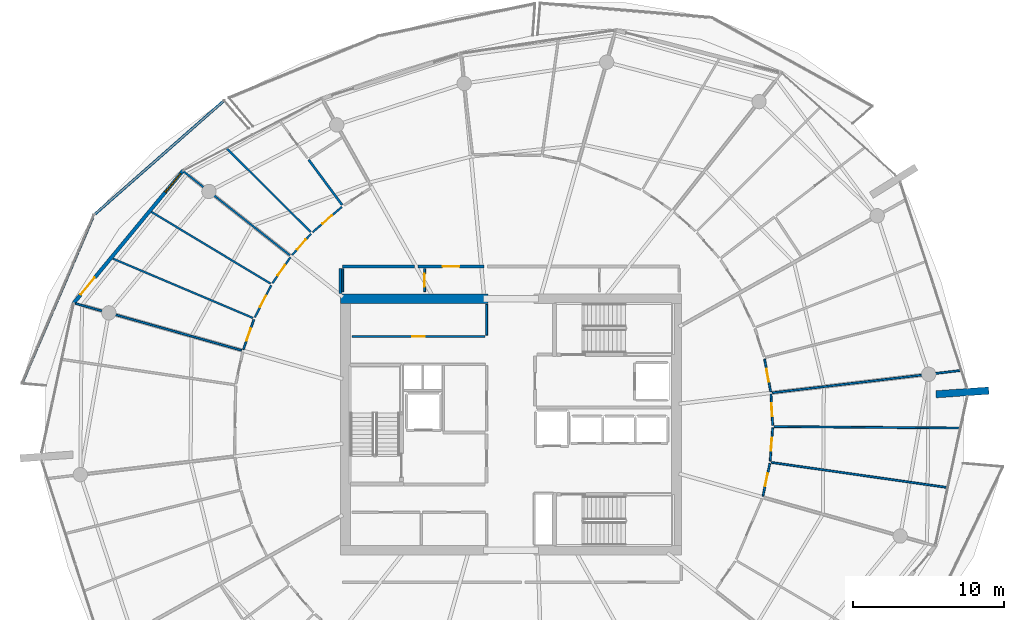
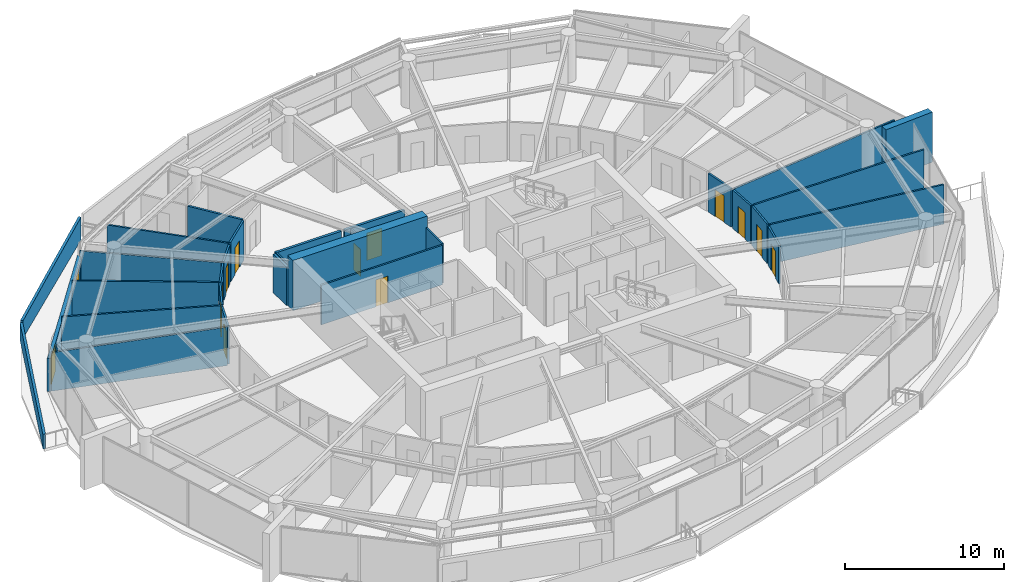
# One storey, part 21 of 30: 30 walls, 13 doors, 1 window, 14 openings.
"""IFC4 building model written with IfcOpenShell, lengths in metres."""

from ifc_helpers import new_model, si_unit, direction, frame, frame_2d, origin, place, context, subcontext, project, spatial, polyline, rectangle, outline, extrude, material, layer, layer_set, type_object, element, fill, save


model = new_model("IFC4")

# Units and contexts
model_context = context("Model", 3, precision=1e-05, world=origin(), true_north=direction((0.0, 1.0)))
body_context = subcontext(model_context, "Body", "Model", "MODEL_VIEW")
ifc_project = project(units=[si_unit("LENGTHUNIT", "METRE"), si_unit("AREAUNIT", "SQUARE_METRE"), si_unit("VOLUMEUNIT", "CUBIC_METRE"), si_unit("PLANEANGLEUNIT", "RADIAN"), si_unit("MASSUNIT", "GRAM", prefix="KILO")], contexts=[model_context])

# Site, building, storey
site_placement = place(None, origin())
site = spatial("IfcSite", under=ifc_project, at=site_placement, CompositionType="ELEMENT")
building_placement = place(site_placement, origin())
building = spatial("IfcBuilding", under=site, at=building_placement, Name="Kazma Halo Residences", CompositionType="ELEMENT")
storey_placement = place(building_placement, frame((0.0, 0.0, 244.39990234375)))
storey = spatial("IfcBuildingStorey", under=building, at=storey_placement, Name="L61", CompositionType="ELEMENT", Elevation=244.39990234375)

# Walls
ifc_material_1 = material(Name="White Concrete C50/60 Balustrade", Category="concrete")
ifc_layer_1 = layer(ifc_material_1, 0.179931640625)
ifc_layer_set_1 = layer_set([ifc_layer_1], Name="White Concrete C50/60 Balustrade")
wall_type_1 = type_object("IfcWallType", Name="WL-BAL-WAVE-180", PredefinedType="PARAPET", material=ifc_layer_set_1)
wall_1_placement = place(storey_placement, frame((29.45166015625, 63.45068359375, 0.0), z_axis=(0.0, 0.0, 1.0), x_axis=(-0.750904489888, -0.660410816891, 0.0)))
element("IfcWall", 1, at=wall_1_placement, inside=storey, type_object=wall_type_1, Name="L61 white wave balustrade wall NW.1", PredefinedType="PARAPET", context=body_context, shape_type="SweptSolid", body=[
    extrude(outline(polyline([(0.0, 0.0), (11.385009765625, 0.0), (11.385009765625, 1.34814453125), (5.6923828125, 1.56201171875), (0.0, 1.7470703125), (0.0, 0.0)])), frame((0.0, 0.08984375, 0.0), z_axis=(0.0, -1.0, 0.0), x_axis=(1.0, 0.0, 0.0)), (0.0, 0.0, 1.0), 0.179931640625),
])
wall_2_placement = place(storey_placement, frame((20.765380859375, 55.7421875, 0.0), z_axis=(0.0, 0.0, 1.0), x_axis=(-0.392715313702, -0.919660090677, 0.0)))
element("IfcWall", 2, at=wall_2_placement, inside=storey, type_object=wall_type_1, Name="L61 white wave balustrade wall NW.2", PredefinedType="PARAPET", context=body_context, shape_type="SweptSolid", body=[
    extrude(outline(polyline([(0.0, 0.0), (11.9951171875, 0.0), (11.995361328125, 1.1201171875), (5.997802734375, 1.18212890625), (0.0, 1.34814453125), (0.0, 0.0)])), frame((0.0, 0.08984375, 0.0), z_axis=(0.0, -1.0, 0.0), x_axis=(1.0, 0.0, 0.0)), (0.0, 0.0, 1.0), 0.179931640625),
])
ifc_material_2 = material(Name="Pale Concrete C60/75", Category="concrete")
ifc_layer_2 = layer(ifc_material_2, 0.47998046875)
ifc_layer_set_2 = layer_set([ifc_layer_2], Name="Pale Concrete C60/75")
wall_type_2 = type_object("IfcWallType", Name="WL-BLADE-480", PredefinedType="SOLIDWALL", material=ifc_layer_set_2)
wall_3_placement = place(storey_placement, frame((76.5625, 43.997314453125, 0.0), z_axis=(0.0, 0.0, 1.0), x_axis=(0.997563824095, 0.069759707979, 0.0)))
element("IfcWall", 3, at=wall_3_placement, inside=storey, type_object=wall_type_2, Name="L61 pale concrete structural blade fin wall BW-04", PredefinedType="SOLIDWALL", context=body_context, shape_type="SweptSolid", body=[
    extrude(rectangle(XDim=3.499755859375, YDim=0.47998046875, at=frame_2d((1.75, 0.0))), origin(), (0.0, 0.0, 1.0), 3.85009765625),
])
ifc_material_3 = material(Name="Concrete C60/75", Category="concrete")
ifc_layer_3 = layer(ifc_material_3, 0.64990234375)
ifc_layer_set_3 = layer_set([ifc_layer_3], Name="Concrete C60/75")
wall_type_3 = type_object("IfcWallType", Name="WL-CORE-650", PredefinedType="SHEAR", material=ifc_layer_set_3)
wall_4_placement = place(storey_placement, frame((37.14990234375, 50.324951171875, 0.0), z_axis=(0.0, 0.0, 1.0), x_axis=(1.0, 0.0, 0.0)))
element("IfcWall", 4, at=wall_4_placement, inside=storey, type_object=wall_type_3, Name="L61 central core shear wall NW", PredefinedType="SHEAR", context=body_context, shape_type="SweptSolid", body=[
    extrude(rectangle(XDim=9.75, YDim=0.64990234375, at=frame_2d((4.875, 0.0))), origin(), (0.0, 0.0, 1.0), 3.85009765625),
])

# Wall, opening, door
ifc_material_4 = material(Name="Acoustic Twin-Stud Gypsum")
ifc_layer_4 = layer(ifc_material_4, 0.179931640625)
ifc_layer_set_4 = layer_set([ifc_layer_4], Name="Acoustic Twin-Stud Gypsum")
wall_type_4 = type_object("IfcWallType", Name="WL-DEM-180", PredefinedType="PARTITIONING", material=ifc_layer_set_4)
wall_5_placement = place(storey_placement, frame((46.643310546875, 52.449951171875, 0.0), z_axis=(0.0, 0.0, 1.0), x_axis=(-1.0, 0.0, 0.0)))
wall_5 = element("IfcWall", 5, at=wall_5_placement, inside=storey, type_object=wall_type_4, Name="L61 Apartment 1 entrance corridor wall", PredefinedType="PARTITIONING", context=body_context, shape_type="SweptSolid", body=[
    extrude(rectangle(XDim=4.375732421875, YDim=0.179931640625, at=frame_2d((2.18798828125, 0.0))), origin(), (0.0, 0.0, 1.0), 2.95703125),
])
opening_1_placement = place(wall_5_placement, frame((1.6376953125, 0.0, 0.0)))
opening_1 = element("IfcOpeningElement", 6, at=opening_1_placement, cuts=wall_5, Name="Opening DA-1100", PredefinedType="OPENING", context=body_context, shape_type="SweptSolid", body=[
    extrude(rectangle(XDim=1.10009765625, YDim=2.10009765625, at=frame_2d((0.550048828125, 1.050048828125))), frame((0.0, 0.099853515625, 0.0), z_axis=(0.0, -1.0, 0.0), x_axis=(1.0, 0.0, 0.0)), (0.0, 0.0, 1.0), 0.199951171875),
])
ifc_material_5 = material(Name="Acoustic Walnut Fire Leaf")
door_type_1 = type_object("IfcDoorType", Name="DR-FD60-1100", OperationType="NOTDEFINED", PredefinedType="DOOR", material=ifc_material_5)
door_1_placement = place(opening_1_placement, origin())
door_1 = element("IfcDoor", 7, at=door_1_placement, inside=storey, type_object=door_type_1, Name="L61 Apartment 1 entrance fire door", OperationType="SINGLE_SWING_LEFT", OverallHeight=2.10009765625, OverallWidth=1.10009765625, PredefinedType="DOOR", context=body_context, shape_type="SweptSolid", body=[
    extrude(rectangle(XDim=1.10009765625, YDim=2.10009765625, at=frame_2d((0.550048828125, 1.050048828125))), frame((0.0, 0.02490234375, 0.0), z_axis=(0.0, -1.0, 0.0), x_axis=(1.0, 0.0, 0.0)), (0.0, 0.0, 1.0), 0.050048828125),
])
fill(opening_1, door_1)

# Walls
wall_6_placement = place(storey_placement, frame((42.027587890625, 52.449951171875, 0.0), z_axis=(0.0, 0.0, 1.0), x_axis=(-1.0, 0.0, 0.0)))
element("IfcWall", 8, at=wall_6_placement, inside=storey, type_object=wall_type_4, Name="L61 Apartment 1 inner wall 4", PredefinedType="PARTITIONING", context=body_context, shape_type="SweptSolid", body=[
    extrude(rectangle(XDim=4.757568359375, YDim=0.179931640625, at=frame_2d((2.37890625, 0.0))), origin(), (0.0, 0.0, 1.0), 2.95703125),
])
wall_7_placement = place(storey_placement, frame((37.14990234375, 52.330078125, 0.0), z_axis=(0.0, 0.0, 1.0), x_axis=(0.0, -1.0, 0.0)))
element("IfcWall", 9, at=wall_7_placement, inside=storey, type_object=wall_type_4, Name="L61 Apartment 1 inner wall 4", PredefinedType="PARTITIONING", context=body_context, shape_type="SweptSolid", body=[
    extrude(rectangle(XDim=1.656494140625, YDim=0.179931640625, at=frame_2d((0.828125, 0.0))), origin(), (0.0, 0.0, 1.0), 2.95703125),
])

# Wall, openings, door, window
ifc_material_6 = material(Name="Insulated Pale-Metal Composite Wall")
ifc_layer_5 = layer(ifc_material_6, 0.239990234375)
ifc_layer_set_5 = layer_set([ifc_layer_5], Name="Insulated Pale-Metal Composite Wall")
wall_type_5 = type_object("IfcWallType", Name="WL-EXT-HOST-240", PredefinedType="SOLIDWALL", material=ifc_layer_set_5)
wall_8_placement = place(storey_placement, frame((26.7421875, 58.822021484375, 0.0), z_axis=(0.0, 0.0, 1.0), x_axis=(-0.636680093065, -0.771128043255, 0.0)))
wall_8 = element("IfcWall", 10, at=wall_8_placement, inside=storey, type_object=wall_type_5, Name="L61 exterior terrace-access wall B06", PredefinedType="SOLIDWALL", context=body_context, shape_type="SweptSolid", body=[
    extrude(rectangle(XDim=11.438232421875, YDim=0.239990234375, at=frame_2d((5.71923828125, 0.0))), origin(), (0.0, 0.0, 1.0), 2.5400390625),
])
opening_2_placement = place(wall_8_placement, frame((9.21826171875, 0.0, 0.0)))
opening_2 = element("IfcOpeningElement", 11, at=opening_2_placement, cuts=wall_8, Name="Opening DTR-1600", PredefinedType="OPENING", context=body_context, shape_type="SweptSolid", body=[
    extrude(rectangle(XDim=1.449951171875, YDim=2.14990234375, at=frame_2d((0.72509765625, 1.074951171875))), frame((0.0, 0.1298828125, 0.0), z_axis=(0.0, -1.0, 0.0), x_axis=(1.0, 0.0, 0.0)), (0.0, 0.0, 1.0), 0.260009765625),
])
opening_3_placement = place(wall_8_placement, frame((0.280029296875, 0.0, 0.64990234375)))
opening_3 = element("IfcOpeningElement", 12, at=opening_3_placement, cuts=wall_8, Name="Opening W-1800", PredefinedType="OPENING", context=body_context, shape_type="SweptSolid", body=[
    extrude(rectangle(XDim=1.60009765625, YDim=1.5, at=frame_2d((0.800048828125, 0.75))), frame((0.0, 0.1298828125, 0.0), z_axis=(0.0, -1.0, 0.0), x_axis=(1.0, 0.0, 0.0)), (0.0, 0.0, 1.0), 0.260009765625),
])
ifc_material_7 = material(Name="Aluminium AW-6063 T6 Double-Glazed Terrace Door", Category="aluminium")
door_type_2 = type_object("IfcDoorType", Name="DR-EXT-TERR-1600", OperationType="NOTDEFINED", PredefinedType="DOOR", material=ifc_material_7)
door_2_placement = place(opening_2_placement, origin())
door_2 = element("IfcDoor", 13, at=door_2_placement, inside=storey, type_object=door_type_2, Name="L61 B06 balcony terrace door", OperationType="DOUBLE_DOOR_SLIDING", OverallHeight=2.14990234375, OverallWidth=1.449951171875, PredefinedType="DOOR", context=body_context, shape_type="SweptSolid", body=[
    extrude(rectangle(XDim=1.449951171875, YDim=2.14990234375, at=frame_2d((0.72509765625, 1.074951171875))), frame((0.0, 0.02490234375, 0.0), z_axis=(0.0, -1.0, 0.0), x_axis=(1.0, 0.0, 0.0)), (0.0, 0.0, 1.0), 0.050048828125),
])
fill(opening_2, door_2)
ifc_material_8 = material(Name="Clear Triple-Silver Low-E Glass in Aluminium AW-6063 T6 Frame", Category="aluminium")
window_type = type_object("IfcWindowType", Name="WIN-RES-1800", PartitioningType="DOUBLE_PANEL_VERTICAL", PredefinedType="WINDOW", material=ifc_material_8)
window_placement = place(opening_3_placement, origin())
window = element("IfcWindow", 14, at=window_placement, inside=storey, type_object=window_type, Name="L61 B06 apartment window", OverallHeight=1.5, OverallWidth=1.60009765625, PartitioningType="SINGLE_PANEL", PredefinedType="WINDOW", context=body_context, shape_type="SweptSolid", body=[
    extrude(rectangle(XDim=1.60009765625, YDim=1.5, at=frame_2d((0.800048828125, 0.75))), frame((0.0, 0.030029296875, 0.0), z_axis=(0.0, -1.0, 0.0), x_axis=(1.0, 0.0, 0.0)), (0.0, 0.0, 1.0), 0.06005859375),
])
fill(opening_3, window)

# Wall
ifc_material_9 = material(Name="Gypsum Plasterboard Partition")
ifc_layer_6 = layer(ifc_material_9, 0.125)
ifc_layer_set_6 = layer_set([ifc_layer_6], Name="Gypsum Plasterboard Partition")
wall_type_6 = type_object("IfcWallType", Name="WL-PART-125", PredefinedType="PARTITIONING", material=ifc_layer_set_6)
wall_9_placement = place(storey_placement, frame((46.820068359375, 47.919921875, 0.0), z_axis=(0.0, 0.0, 1.0), x_axis=(0.0, 1.0, 0.0)))
element("IfcWall", 15, at=wall_9_placement, inside=storey, type_object=wall_type_6, Name="L61 reclaimed north east wall", PredefinedType="PARTITIONING", context=body_context, shape_type="SweptSolid", body=[
    extrude(rectangle(XDim=2.030029296875, YDim=0.125, at=frame_2d((1.01513671875, 0.0))), origin(), (0.0, 0.0, 1.0), 3.030029296875),
])

# Wall, opening, door
wall_10_placement = place(storey_placement, frame((37.919921875, 47.820068359375, 0.0), z_axis=(0.0, 0.0, 1.0), x_axis=(1.0, 0.0, 0.0)))
wall_10 = element("IfcWall", 16, at=wall_10_placement, inside=storey, type_object=wall_type_6, Name="L61 reclaimed north front wall", PredefinedType="PARTITIONING", context=body_context, shape_type="SweptSolid", body=[
    extrude(rectangle(XDim=8.780029296875, YDim=0.125, at=frame_2d((4.39013671875, 0.0))), origin(), (0.0, 0.0, 1.0), 3.030029296875),
])
opening_4_placement = place(wall_10_placement, frame((3.965087890625, 0.0, 0.0)))
opening_4 = element("IfcOpeningElement", 17, at=opening_4_placement, cuts=wall_10, Name="Opening DS-850", PredefinedType="OPENING", context=body_context, shape_type="SweptSolid", body=[
    extrude(rectangle(XDim=0.85009765625, YDim=2.06005859375, at=frame_2d((0.425048828125, 1.030029296875))), frame((0.0, 0.072509765625, 0.0), z_axis=(0.0, -1.0, 0.0), x_axis=(1.0, 0.0, 0.0)), (0.0, 0.0, 1.0), 0.14501953125),
])
ifc_material_10 = material(Name="Painted Steel Access Leaf", Category="steel")
door_type_3 = type_object("IfcDoorType", Name="DR-SVC-850", OperationType="NOTDEFINED", PredefinedType="DOOR", material=ifc_material_10)
door_3_placement = place(opening_4_placement, origin())
door_3 = element("IfcDoor", 18, at=door_3_placement, inside=storey, type_object=door_type_3, Name="L61 reclaimed north service door", OperationType="SINGLE_SWING_RIGHT", OverallHeight=2.06005859375, OverallWidth=0.85009765625, PredefinedType="DOOR", context=body_context, shape_type="SweptSolid", body=[
    extrude(rectangle(XDim=0.85009765625, YDim=2.06005859375, at=frame_2d((0.425048828125, 1.030029296875))), frame((0.0, 0.02490234375, 0.0), z_axis=(0.0, -1.0, 0.0), x_axis=(1.0, 0.0, 0.0)), (0.0, 0.0, 1.0), 0.050048828125),
])
fill(opening_4, door_3)

# Wall
wall_11_placement = place(storey_placement, frame((37.2900390625, 50.77001953125, 0.0), z_axis=(0.0, 0.0, 1.0), x_axis=(0.0, 1.0, 0.0)))
element("IfcWall", 19, at=wall_11_placement, inside=storey, type_object=wall_type_6, Name="L61 west linen end wall", PredefinedType="PARTITIONING", context=body_context, shape_type="SweptSolid", body=[
    extrude(rectangle(XDim=1.5400390625, YDim=0.125, at=frame_2d((0.77001953125, 0.0))), origin(), (0.0, 0.0, 1.0), 3.030029296875),
])

# Wall, opening, door
wall_12_placement = place(storey_placement, frame((42.7099609375, 50.7900390625, 0.0), z_axis=(0.0, 0.0, 1.0), x_axis=(0.0, 1.0, 0.0)))
wall_12 = element("IfcWall", 20, at=wall_12_placement, inside=storey, type_object=wall_type_6, Name="L61 floor linen store door wall", PredefinedType="PARTITIONING", context=body_context, shape_type="SweptSolid", body=[
    extrude(rectangle(XDim=1.52001953125, YDim=0.125, at=frame_2d((0.760009765625, 0.0))), origin(), (0.0, 0.0, 1.0), 2.95703125),
])
opening_5_placement = place(wall_12_placement, frame((0.3349609375, 0.0, 0.0)))
opening_5 = element("IfcOpeningElement", 21, at=opening_5_placement, cuts=wall_12, Name="Opening DS-850", PredefinedType="OPENING", context=body_context, shape_type="SweptSolid", body=[
    extrude(rectangle(XDim=0.85009765625, YDim=2.06005859375, at=frame_2d((0.425048828125, 1.030029296875))), frame((0.0, 0.072509765625, 0.0), z_axis=(0.0, -1.0, 0.0), x_axis=(1.0, 0.0, 0.0)), (0.0, 0.0, 1.0), 0.14501953125),
])
door_4_placement = place(opening_5_placement, origin())
door_4 = element("IfcDoor", 22, at=door_4_placement, inside=storey, type_object=door_type_3, Name="L61 floor linen store door", OperationType="SINGLE_SWING_RIGHT", OverallHeight=2.06005859375, OverallWidth=0.85009765625, PredefinedType="DOOR", context=body_context, shape_type="SweptSolid", body=[
    extrude(rectangle(XDim=0.85009765625, YDim=2.06005859375, at=frame_2d((0.425048828125, 1.030029296875))), frame((0.0, 0.02490234375, 0.0), z_axis=(0.0, -1.0, 0.0), x_axis=(1.0, 0.0, 0.0)), (0.0, 0.0, 1.0), 0.050048828125),
])
fill(opening_5, door_4)

# Wall
wall_13_placement = place(storey_placement, frame((35.17529296875, 54.73974609375, 0.0), z_axis=(0.0, 0.0, 1.0), x_axis=(-0.709454223479, 0.70475151989, 0.0)))
element("IfcWall", 23, at=wall_13_placement, inside=storey, type_object=wall_type_6, Name="L61 Apartment 1 suite divider 4", PredefinedType="PARTITIONING", context=body_context, shape_type="SweptSolid", body=[
    extrude(rectangle(XDim=7.839111328125, YDim=0.125, at=frame_2d((3.91943359375, 0.0))), origin(), (0.0, 0.0, 1.0), 3.030029296875),
])

# Wall, opening, door
wall_14_placement = place(storey_placement, frame((37.234130859375, 56.40087890625, 0.0), z_axis=(0.0, 0.0, 1.0), x_axis=(-0.756561034508, -0.653923084976, 0.0)))
wall_14 = element("IfcWall", 24, at=wall_14_placement, inside=storey, type_object=wall_type_6, Name="L61 Apartment 1 Corner Private Study hall wall", PredefinedType="PARTITIONING", context=body_context, shape_type="SweptSolid", body=[
    extrude(rectangle(XDim=2.55712890625, YDim=0.125, at=frame_2d((1.278564453125, 0.0))), origin(), (0.0, 0.0, 1.0), 3.030029296875),
])
opening_6_placement = place(wall_14_placement, frame((0.853515625, 0.0, 0.0)))
opening_6 = element("IfcOpeningElement", 25, at=opening_6_placement, cuts=wall_14, Name="Opening DB-900", PredefinedType="OPENING", context=body_context, shape_type="SweptSolid", body=[
    extrude(rectangle(XDim=0.85009765625, YDim=2.06005859375, at=frame_2d((0.425048828125, 1.030029296875))), frame((0.0, 0.072509765625, 0.0), z_axis=(0.0, -1.0, 0.0), x_axis=(1.0, 0.0, 0.0)), (0.0, 0.0, 1.0), 0.14501953125),
])
ifc_material_11 = material(Name="Moisture-Sealed Timber Leaf", Category="wood")
door_type_4 = type_object("IfcDoorType", Name="DR-BTH-900", OperationType="NOTDEFINED", PredefinedType="DOOR", material=ifc_material_11)
door_5_placement = place(opening_6_placement, origin())
door_5 = element("IfcDoor", 26, at=door_5_placement, inside=storey, type_object=door_type_4, Name="L61 Apartment 1 Corner Private Study door", OperationType="SINGLE_SWING_RIGHT", OverallHeight=2.06005859375, OverallWidth=0.85009765625, PredefinedType="DOOR", context=body_context, shape_type="SweptSolid", body=[
    extrude(rectangle(XDim=0.85009765625, YDim=2.06005859375, at=frame_2d((0.425048828125, 1.030029296875))), frame((0.0, 0.02490234375, 0.0), z_axis=(0.0, -1.0, 0.0), x_axis=(1.0, 0.0, 0.0)), (0.0, 0.0, 1.0), 0.050048828125),
])
fill(opening_6, door_5)

wall_15_placement = place(storey_placement, frame((35.18603515625, 54.616455078125, 0.0), z_axis=(0.0, 0.0, 1.0), x_axis=(-0.662974884037, -0.74864163866, 0.0)))
wall_15 = element("IfcWall", 27, at=wall_15_placement, inside=storey, type_object=wall_type_6, Name="L61 Apartment 1 Garden Master Bedroom hall wall", PredefinedType="PARTITIONING", context=body_context, shape_type="SweptSolid", body=[
    extrude(rectangle(XDim=1.878173828125, YDim=0.125, at=frame_2d((0.93896484375, 0.0))), origin(), (0.0, 0.0, 1.0), 2.95703125),
])
opening_7_placement = place(wall_15_placement, frame((0.51416015625, 0.0, 0.0)))
opening_7 = element("IfcOpeningElement", 28, at=opening_7_placement, cuts=wall_15, Name="Opening DB-900", PredefinedType="OPENING", context=body_context, shape_type="SweptSolid", body=[
    extrude(rectangle(XDim=0.85009765625, YDim=2.06005859375, at=frame_2d((0.425048828125, 1.030029296875))), frame((0.0, 0.072509765625, 0.0), z_axis=(0.0, -1.0, 0.0), x_axis=(1.0, 0.0, 0.0)), (0.0, 0.0, 1.0), 0.14501953125),
])
door_6_placement = place(opening_7_placement, origin())
door_6 = element("IfcDoor", 29, at=door_6_placement, inside=storey, type_object=door_type_4, Name="L61 Apartment 1 Garden Master Bedroom door", OperationType="SINGLE_SWING_LEFT", OverallHeight=2.06005859375, OverallWidth=0.85009765625, PredefinedType="DOOR", context=body_context, shape_type="SweptSolid", body=[
    extrude(rectangle(XDim=0.85009765625, YDim=2.06005859375, at=frame_2d((0.425048828125, 1.030029296875))), frame((0.0, 0.02490234375, 0.0), z_axis=(0.0, -1.0, 0.0), x_axis=(1.0, 0.0, 0.0)), (0.0, 0.0, 1.0), 0.050048828125),
])
fill(opening_7, door_6)

# Walls
wall_16_placement = place(storey_placement, frame((33.7958984375, 53.197509765625, 0.0), z_axis=(0.0, 0.0, 1.0), x_axis=(-0.785317367408, 0.619093395577, 0.0)))
element("IfcWall", 30, at=wall_16_placement, inside=storey, type_object=wall_type_6, Name="L61 Apartment 1 radial partition 5", PredefinedType="PARTITIONING", context=body_context, shape_type="SweptSolid", body=[
    extrude(rectangle(XDim=8.99755859375, YDim=0.125, at=frame_2d((4.498779296875, 0.0))), origin(), (0.0, 0.0, 1.0), 2.95703125),
])
wall_17_placement = place(storey_placement, frame((32.51318359375, 51.32373046875, 0.0), z_axis=(0.0, 0.0, 1.0), x_axis=(-0.856717015706, 0.515786734028, 0.0)))
element("IfcWall", 31, at=wall_17_placement, inside=storey, type_object=wall_type_6, Name="L61 Apartment 1 bay wall 1 5", PredefinedType="PARTITIONING", context=body_context, shape_type="SweptSolid", body=[
    extrude(rectangle(XDim=9.201171875, YDim=0.125, at=frame_2d((4.6005859375, 0.0))), origin(), (0.0, 0.0, 1.0), 3.030029296875),
])
wall_18_placement = place(storey_placement, frame((31.35400390625, 49.048583984375, 0.0), z_axis=(0.0, 0.0, 1.0), x_axis=(-0.920847854277, 0.389922081028, 0.0)))
element("IfcWall", 32, at=wall_18_placement, inside=storey, type_object=wall_type_6, Name="L61 Apartment 1 bay wall 2 5", PredefinedType="PARTITIONING", context=body_context, shape_type="SweptSolid", body=[
    extrude(rectangle(XDim=10.078857421875, YDim=0.125, at=frame_2d((5.03955078125, 0.0))), origin(), (0.0, 0.0, 1.0), 3.030029296875),
])

# Wall, opening, door
wall_19_placement = place(storey_placement, frame((33.8291015625, 53.06982421875, 0.0), z_axis=(0.0, 0.0, 1.0), x_axis=(-0.568580744167, -0.822627459645, 0.0)))
wall_19 = element("IfcWall", 33, at=wall_19_placement, inside=storey, type_object=wall_type_6, Name="L61 Apartment 1 Sky Bedroom hall wall", PredefinedType="PARTITIONING", context=body_context, shape_type="SweptSolid", body=[
    extrude(rectangle(XDim=2.098876953125, YDim=0.125, at=frame_2d((1.04931640625, 0.0))), origin(), (0.0, 0.0, 1.0), 2.95703125),
])
opening_8_placement = place(wall_19_placement, frame((0.62451171875, 0.0, 0.0)))
opening_8 = element("IfcOpeningElement", 34, at=opening_8_placement, cuts=wall_19, Name="Opening DB-900", PredefinedType="OPENING", context=body_context, shape_type="SweptSolid", body=[
    extrude(rectangle(XDim=0.85009765625, YDim=2.06005859375, at=frame_2d((0.425048828125, 1.030029296875))), frame((0.0, 0.072509765625, 0.0), z_axis=(0.0, -1.0, 0.0), x_axis=(1.0, 0.0, 0.0)), (0.0, 0.0, 1.0), 0.14501953125),
])
door_7_placement = place(opening_8_placement, origin())
door_7 = element("IfcDoor", 35, at=door_7_placement, inside=storey, type_object=door_type_4, Name="L61 Apartment 1 Sky Bedroom door", OperationType="SINGLE_SWING_RIGHT", OverallHeight=2.06005859375, OverallWidth=0.85009765625, PredefinedType="DOOR", context=body_context, shape_type="SweptSolid", body=[
    extrude(rectangle(XDim=0.85009765625, YDim=2.06005859375, at=frame_2d((0.425048828125, 1.030029296875))), frame((0.0, 0.02490234375, 0.0), z_axis=(0.0, -1.0, 0.0), x_axis=(1.0, 0.0, 0.0)), (0.0, 0.0, 1.0), 0.050048828125),
])
fill(opening_8, door_7)

wall_20_placement = place(storey_placement, frame((32.553955078125, 51.2060546875, 0.0), z_axis=(0.0, 0.0, 1.0), x_axis=(-0.454010275522, -0.890996447647, 0.0)))
wall_20 = element("IfcWall", 36, at=wall_20_placement, inside=storey, type_object=wall_type_6, Name="L61 Apartment 1 Gulf Dressing Wardrobe hall wall", PredefinedType="PARTITIONING", context=body_context, shape_type="SweptSolid", body=[
    extrude(rectangle(XDim=2.380615234375, YDim=0.125, at=frame_2d((1.1904296875, 0.0))), origin(), (0.0, 0.0, 1.0), 3.030029296875),
])
opening_9_placement = place(wall_20_placement, frame((0.765380859375, 0.0, 0.0)))
opening_9 = element("IfcOpeningElement", 37, at=opening_9_placement, cuts=wall_20, Name="Opening DB-900", PredefinedType="OPENING", context=body_context, shape_type="SweptSolid", body=[
    extrude(rectangle(XDim=0.85009765625, YDim=2.06005859375, at=frame_2d((0.425048828125, 1.030029296875))), frame((0.0, 0.072509765625, 0.0), z_axis=(0.0, -1.0, 0.0), x_axis=(1.0, 0.0, 0.0)), (0.0, 0.0, 1.0), 0.14501953125),
])
door_8_placement = place(opening_9_placement, origin())
door_8 = element("IfcDoor", 38, at=door_8_placement, inside=storey, type_object=door_type_4, Name="L61 Apartment 1 Gulf Dressing Wardrobe door", OperationType="SINGLE_SWING_LEFT", OverallHeight=2.06005859375, OverallWidth=0.85009765625, PredefinedType="DOOR", context=body_context, shape_type="SweptSolid", body=[
    extrude(rectangle(XDim=0.85009765625, YDim=2.06005859375, at=frame_2d((0.425048828125, 1.030029296875))), frame((0.0, 0.02490234375, 0.0), z_axis=(0.0, -1.0, 0.0), x_axis=(1.0, 0.0, 0.0)), (0.0, 0.0, 1.0), 0.050048828125),
])
fill(opening_9, door_8)

wall_21_placement = place(storey_placement, frame((31.410400390625, 48.93798828125, 0.0), z_axis=(0.0, 0.0, 1.0), x_axis=(-0.331438416753, -0.943476854989, 0.0)))
wall_21 = element("IfcWall", 39, at=wall_21_placement, inside=storey, type_object=wall_type_6, Name="L61 Apartment 1 Primary Bedroom hall wall", PredefinedType="PARTITIONING", context=body_context, shape_type="SweptSolid", body=[
    extrude(rectangle(XDim=2.0986328125, YDim=0.125, at=frame_2d((1.04931640625, 0.0))), origin(), (0.0, 0.0, 1.0), 2.95703125),
])
opening_10_placement = place(wall_21_placement, frame((0.62451171875, 0.0, 0.0)))
opening_10 = element("IfcOpeningElement", 40, at=opening_10_placement, cuts=wall_21, Name="Opening DB-900", PredefinedType="OPENING", context=body_context, shape_type="SweptSolid", body=[
    extrude(rectangle(XDim=0.85009765625, YDim=2.06005859375, at=frame_2d((0.425048828125, 1.030029296875))), frame((0.0, 0.072509765625, 0.0), z_axis=(0.0, -1.0, 0.0), x_axis=(1.0, 0.0, 0.0)), (0.0, 0.0, 1.0), 0.14501953125),
])
door_9_placement = place(opening_10_placement, origin())
door_9 = element("IfcDoor", 41, at=door_9_placement, inside=storey, type_object=door_type_4, Name="L61 Apartment 1 Primary Bedroom door", OperationType="SINGLE_SWING_RIGHT", OverallHeight=2.06005859375, OverallWidth=0.85009765625, PredefinedType="DOOR", context=body_context, shape_type="SweptSolid", body=[
    extrude(rectangle(XDim=0.85009765625, YDim=2.06005859375, at=frame_2d((0.425048828125, 1.030029296875))), frame((0.0, 0.02490234375, 0.0), z_axis=(0.0, -1.0, 0.0), x_axis=(1.0, 0.0, 0.0)), (0.0, 0.0, 1.0), 0.050048828125),
])
fill(opening_10, door_9)

# Walls
wall_22_placement = place(storey_placement, frame((30.592041015625, 46.909423828125, 0.0), z_axis=(0.0, 0.0, 1.0), x_axis=(-0.96245110957, 0.271455082266, 0.0)))
element("IfcWall", 42, at=wall_22_placement, inside=storey, type_object=wall_type_6, Name="L61 Apartment 1 radial partition 6", PredefinedType="PARTITIONING", context=body_context, shape_type="SweptSolid", body=[
    extrude(rectangle(XDim=11.40869140625, YDim=0.125, at=frame_2d((5.704345703125, 0.0))), origin(), (0.0, 0.0, 1.0), 2.95703125),
])
wall_23_placement = place(storey_placement, frame((65.6689453125, 39.4853515625, 0.0), z_axis=(0.0, 0.0, 1.0), x_axis=(0.990022432034, -0.140909843761, 0.0)))
element("IfcWall", 43, at=wall_23_placement, inside=storey, type_object=wall_type_6, Name="L61 Apartment 2 bay wall 1 14", PredefinedType="PARTITIONING", context=body_context, shape_type="SweptSolid", body=[
    extrude(rectangle(XDim=11.760986328125, YDim=0.125, at=frame_2d((5.88037109375, 0.0))), origin(), (0.0, 0.0, 1.0), 3.030029296875),
])
wall_24_placement = place(storey_placement, frame((65.846435546875, 41.85986328125, 0.0), z_axis=(0.0, 0.0, 1.0), x_axis=(0.999969162233, -0.007853316706, 0.0)))
element("IfcWall", 44, at=wall_24_placement, inside=storey, type_object=wall_type_6, Name="L61 Apartment 2 bay wall 2 14", PredefinedType="PARTITIONING", context=body_context, shape_type="SweptSolid", body=[
    extrude(rectangle(XDim=12.310791015625, YDim=0.125, at=frame_2d((6.1552734375, 0.0))), origin(), (0.0, 0.0, 1.0), 3.030029296875),
])

# Wall, opening, door
wall_25_placement = place(storey_placement, frame((65.106689453125, 37.25830078125, 0.0), z_axis=(0.0, 0.0, 1.0), x_axis=(0.20677346991, 0.978388845062, 0.0)))
wall_25 = element("IfcWall", 45, at=wall_25_placement, inside=storey, type_object=wall_type_6, Name="L61 Apartment 2 Gulf Master Bedroom hall wall", PredefinedType="PARTITIONING", context=body_context, shape_type="SweptSolid", body=[
    extrude(rectangle(XDim=2.209228515625, YDim=0.125, at=frame_2d((1.1044921875, 0.0))), origin(), (0.0, 0.0, 1.0), 2.95703125),
])
opening_11_placement = place(wall_25_placement, frame((0.6796875, 0.0, 0.0)))
opening_11 = element("IfcOpeningElement", 46, at=opening_11_placement, cuts=wall_25, Name="Opening DB-900", PredefinedType="OPENING", context=body_context, shape_type="SweptSolid", body=[
    extrude(rectangle(XDim=0.85009765625, YDim=2.06005859375, at=frame_2d((0.425048828125, 1.030029296875))), frame((0.0, 0.072509765625, 0.0), z_axis=(0.0, -1.0, 0.0), x_axis=(1.0, 0.0, 0.0)), (0.0, 0.0, 1.0), 0.14501953125),
])
door_10_placement = place(opening_11_placement, origin())
door_10 = element("IfcDoor", 47, at=door_10_placement, inside=storey, type_object=door_type_4, Name="L61 Apartment 2 Gulf Master Bedroom door", OperationType="SINGLE_SWING_LEFT", OverallHeight=2.06005859375, OverallWidth=0.85009765625, PredefinedType="DOOR", context=body_context, shape_type="SweptSolid", body=[
    extrude(rectangle(XDim=0.85009765625, YDim=2.06005859375, at=frame_2d((0.425048828125, 1.030029296875))), frame((0.0, 0.02490234375, 0.0), z_axis=(0.0, -1.0, 0.0), x_axis=(1.0, 0.0, 0.0)), (0.0, 0.0, 1.0), 0.050048828125),
])
fill(opening_11, door_10)

wall_26_placement = place(storey_placement, frame((65.5859375, 39.577880859375, 0.0), z_axis=(0.0, 0.0, 1.0), x_axis=(0.074490462528, 0.997221726093, 0.0)))
wall_26 = element("IfcWall", 48, at=wall_26_placement, inside=storey, type_object=wall_type_6, Name="L61 Apartment 2 Primary Dressing Wardrobe hall wall", PredefinedType="PARTITIONING", context=body_context, shape_type="SweptSolid", body=[
    extrude(rectangle(XDim=2.208984375, YDim=0.125, at=frame_2d((1.1044921875, 0.0))), origin(), (0.0, 0.0, 1.0), 3.030029296875),
])
opening_12_placement = place(wall_26_placement, frame((0.679443359375, 0.0, 0.0)))
opening_12 = element("IfcOpeningElement", 49, at=opening_12_placement, cuts=wall_26, Name="Opening DB-900", PredefinedType="OPENING", context=body_context, shape_type="SweptSolid", body=[
    extrude(rectangle(XDim=0.85009765625, YDim=2.06005859375, at=frame_2d((0.425048828125, 1.030029296875))), frame((0.0, 0.072509765625, 0.0), z_axis=(0.0, -1.0, 0.0), x_axis=(1.0, 0.0, 0.0)), (0.0, 0.0, 1.0), 0.14501953125),
])
door_11_placement = place(opening_12_placement, origin())
door_11 = element("IfcDoor", 50, at=door_11_placement, inside=storey, type_object=door_type_4, Name="L61 Apartment 2 Primary Dressing Wardrobe door", OperationType="SINGLE_SWING_RIGHT", OverallHeight=2.06005859375, OverallWidth=0.85009765625, PredefinedType="DOOR", context=body_context, shape_type="SweptSolid", body=[
    extrude(rectangle(XDim=0.85009765625, YDim=2.06005859375, at=frame_2d((0.425048828125, 1.030029296875))), frame((0.0, 0.02490234375, 0.0), z_axis=(0.0, -1.0, 0.0), x_axis=(1.0, 0.0, 0.0)), (0.0, 0.0, 1.0), 0.050048828125),
])
fill(opening_12, door_11)

wall_27_placement = place(storey_placement, frame((65.752197265625, 41.9404296875, 0.0), z_axis=(0.0, 0.0, 1.0), x_axis=(-0.055084577693, 0.998481692021, 0.0)))
wall_27 = element("IfcWall", 51, at=wall_27_placement, inside=storey, type_object=wall_type_6, Name="L61 Apartment 2 Secondary Master Bedroom hall wall", PredefinedType="PARTITIONING", context=body_context, shape_type="SweptSolid", body=[
    extrude(rectangle(XDim=2.06982421875, YDim=0.125, at=frame_2d((1.034912109375, 0.0))), origin(), (0.0, 0.0, 1.0), 2.95703125),
])
opening_13_placement = place(wall_27_placement, frame((0.610107421875, 0.0, 0.0)))
opening_13 = element("IfcOpeningElement", 52, at=opening_13_placement, cuts=wall_27, Name="Opening DB-900", PredefinedType="OPENING", context=body_context, shape_type="SweptSolid", body=[
    extrude(rectangle(XDim=0.85009765625, YDim=2.06005859375, at=frame_2d((0.425048828125, 1.030029296875))), frame((0.0, 0.072509765625, 0.0), z_axis=(0.0, -1.0, 0.0), x_axis=(1.0, 0.0, 0.0)), (0.0, 0.0, 1.0), 0.14501953125),
])
door_12_placement = place(opening_13_placement, origin())
door_12 = element("IfcDoor", 53, at=door_12_placement, inside=storey, type_object=door_type_4, Name="L61 Apartment 2 Secondary Master Bedroom door", OperationType="SINGLE_SWING_LEFT", OverallHeight=2.06005859375, OverallWidth=0.85009765625, PredefinedType="DOOR", context=body_context, shape_type="SweptSolid", body=[
    extrude(rectangle(XDim=0.85009765625, YDim=2.06005859375, at=frame_2d((0.425048828125, 1.030029296875))), frame((0.0, 0.02490234375, 0.0), z_axis=(0.0, -1.0, 0.0), x_axis=(1.0, 0.0, 0.0)), (0.0, 0.0, 1.0), 0.050048828125),
])
fill(opening_13, door_12)

# Wall
wall_28_placement = place(storey_placement, frame((65.733154296875, 44.098876953125, 0.0), z_axis=(0.0, 0.0, 1.0), x_axis=(0.99306831242, 0.117538618625, 0.0)))
element("IfcWall", 54, at=wall_28_placement, inside=storey, type_object=wall_type_6, Name="L61 Apartment 2 radial partition 15", PredefinedType="PARTITIONING", context=body_context, shape_type="SweptSolid", body=[
    extrude(rectangle(XDim=12.57275390625, YDim=0.125, at=frame_2d((6.286376953125, 0.0))), origin(), (0.0, 0.0, 1.0), 2.95703125),
])

# Wall, opening, door
wall_29_placement = place(storey_placement, frame((65.619140625, 44.165771484375, 0.0), z_axis=(0.0, 0.0, 1.0), x_axis=(-0.183454395516, 0.983028221755, 0.0)))
wall_29 = element("IfcWall", 55, at=wall_29_placement, inside=storey, type_object=wall_type_6, Name="L61 Apartment 2 East Master Bedroom hall wall", PredefinedType="PARTITIONING", context=body_context, shape_type="SweptSolid", body=[
    extrude(rectangle(XDim=2.209228515625, YDim=0.125, at=frame_2d((1.1044921875, 0.0))), origin(), (0.0, 0.0, 1.0), 2.95703125),
])
opening_14_placement = place(wall_29_placement, frame((0.6796875, 0.0, 0.0)))
opening_14 = element("IfcOpeningElement", 56, at=opening_14_placement, cuts=wall_29, Name="Opening DB-900", PredefinedType="OPENING", context=body_context, shape_type="SweptSolid", body=[
    extrude(rectangle(XDim=0.85009765625, YDim=2.06005859375, at=frame_2d((0.425048828125, 1.030029296875))), frame((0.0, 0.072509765625, 0.0), z_axis=(0.0, -1.0, 0.0), x_axis=(1.0, 0.0, 0.0)), (0.0, 0.0, 1.0), 0.14501953125),
])
door_13_placement = place(opening_14_placement, origin())
door_13 = element("IfcDoor", 57, at=door_13_placement, inside=storey, type_object=door_type_4, Name="L61 Apartment 2 East Master Bedroom door", OperationType="SINGLE_SWING_RIGHT", OverallHeight=2.06005859375, OverallWidth=0.85009765625, PredefinedType="DOOR", context=body_context, shape_type="SweptSolid", body=[
    extrude(rectangle(XDim=0.85009765625, YDim=2.06005859375, at=frame_2d((0.425048828125, 1.030029296875))), frame((0.0, 0.02490234375, 0.0), z_axis=(0.0, -1.0, 0.0), x_axis=(1.0, 0.0, 0.0)), (0.0, 0.0, 1.0), 0.050048828125),
])
fill(opening_14, door_13)

# Wall
ifc_material_12 = material(Name="Moisture-Resistant Gypsum")
ifc_layer_7 = layer(ifc_material_12, 0.14990234375)
ifc_layer_set_7 = layer_set([ifc_layer_7], Name="Moisture-Resistant Gypsum")
wall_type_7 = type_object("IfcWallType", Name="WL-WET-150", PredefinedType="PARTITIONING", material=ifc_layer_set_7)
wall_30_placement = place(storey_placement, frame((37.248779296875, 56.5322265625, 0.0), z_axis=(0.0, 0.0, 1.0), x_axis=(-0.59478957188, 0.803881437267, 0.0)))
element("IfcWall", 58, at=wall_30_placement, inside=storey, type_object=wall_type_7, Name="L61 Apartment 1 Inner En-Suite Bathroom side wall", PredefinedType="PARTITIONING", context=body_context, shape_type="SweptSolid", body=[
    extrude(rectangle(XDim=3.719970703125, YDim=0.14990234375, at=frame_2d((1.85986328125, 0.0))), origin(), (0.0, 0.0, 1.0), 3.030029296875),
])

save(model, "model.ifc")
